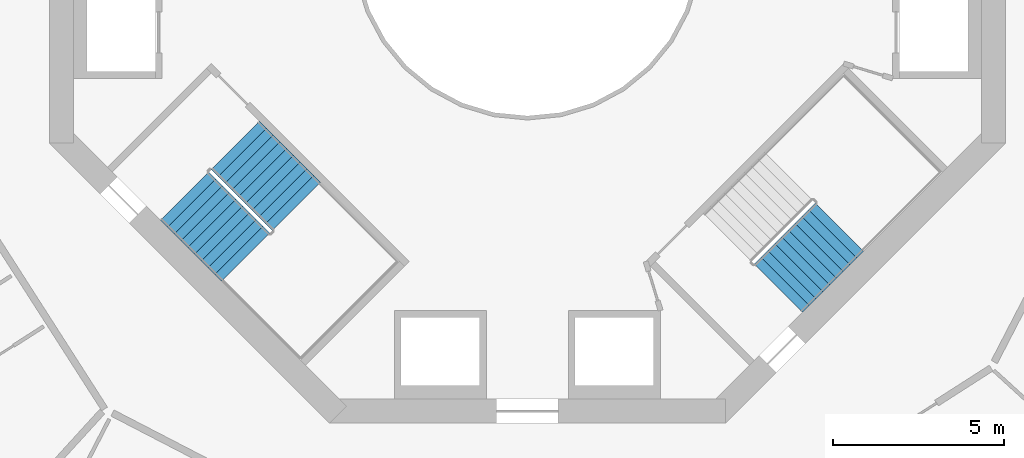
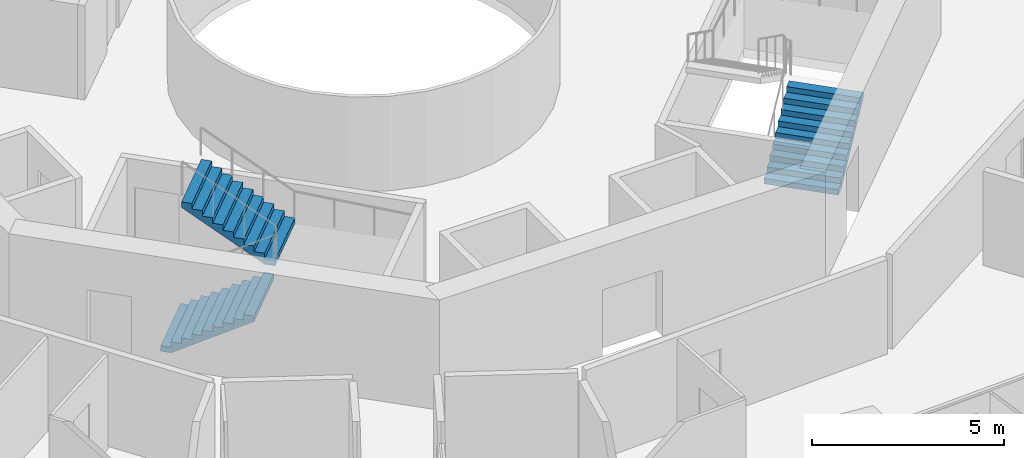
# One storey, part 20 of 22: 3 stair flights, 2 elements without a shape of their own.
"""IFC4 building model written with IfcOpenShell, lengths in metres."""

from ifc_helpers import new_model, si_unit, direction, frame, origin, place, context, subcontext, project, spatial, triangles, material, type_object, element, aggregate, save


model = new_model("IFC4")

# Units and contexts
model_context = context("Model", 3, precision=1e-05, world=origin(), true_north=direction((0.0, 1.0)))
body_context = subcontext(model_context, "Body", "Model", "MODEL_VIEW")
ifc_project = project(units=[si_unit("LENGTHUNIT", "METRE"), si_unit("AREAUNIT", "SQUARE_METRE"), si_unit("VOLUMEUNIT", "CUBIC_METRE"), si_unit("PLANEANGLEUNIT", "RADIAN"), si_unit("MASSUNIT", "GRAM", prefix="KILO")], contexts=[model_context])

# Site, building, storey
site_placement = place(None, origin())
site = spatial("IfcSite", under=ifc_project, at=site_placement, CompositionType="ELEMENT")
building_placement = place(site_placement, origin())
building = spatial("IfcBuilding", under=site, at=building_placement, Name="Verdalira Terraces Hotel", CompositionType="ELEMENT")
storey_placement = place(building_placement, frame((0.0, 0.0, 165.5)))
storey = spatial("IfcBuildingStorey", under=building, at=storey_placement, Name="L40", CompositionType="ELEMENT", Elevation=165.5)

# Stair, stair flights
ifc_material_1 = material(Name="Concrete C40", Category="concrete")
stair_type = type_object("IfcStairType", Name="Core stair 20 risers 2000 mm wide", PredefinedType="HALF_TURN_STAIR", material=ifc_material_1)
stair_1_placement = place(storey_placement, origin())
stair_1 = element("IfcStair", 1, at=stair_1_placement, inside=storey, type_object=stair_type, Name="L40 Exit stair ST2", PredefinedType="HALF_TURN_STAIR")
ifc_material_2 = material(Name="Concrete C40", Category="concrete")
stair_flight_type = type_object("IfcStairFlightType", Name="Core stair flight 20 risers 2000 mm wide", PredefinedType="STRAIGHT", material=ifc_material_2)
stair_flight_1_placement = place(storey_placement, frame((-10.041016, -7.354004, 0.0), z_axis=(0.0, 0.0, 1.0), x_axis=(0.707106781, -0.707106781, 0.0)))
stair_flight_1 = element("IfcStairFlight", 2, at=stair_flight_1_placement, type_object=stair_flight_type, Name="ST2 flight 1", NumberOfRisers=10, NumberOfTreads=9, PredefinedType="STRAIGHT", RiserHeight=0.175, TreadLength=0.28, context=body_context, shape_type="Tessellation", body=[
    triangles([(0.0, 1.0, 0.0), (0.282715, 1.0, 0.0), (2.52002, 1.0, 1.398193), (0.0, -1.0, 0.0), (0.282715, -1.0, 0.0), (2.52002, -1.0, 1.398193), (2.52002, 1.0, 1.574951), (2.23999, 1.0, 1.574951), (2.52002, -1.0, 1.574951), (2.23999, -1.0, 1.574951), (2.23999, 1.0, 1.399902), (2.23999, -1.0, 1.399902), (1.959961, 1.0, 1.399902), (1.959961, -1.0, 1.399902), (1.959961, 1.0, 1.225098), (1.959961, -1.0, 1.225098), (1.679932, 1.0, 1.225098), (1.679932, 1.0, 1.050049), (1.679932, -1.0, 1.225098), (1.679932, -1.0, 1.050049), (1.399902, 1.0, 1.050049), (1.399902, 1.0, 0.875), (1.399902, -1.0, 1.050049), (1.399902, -1.0, 0.875), (1.120117, 1.0, 0.875), (1.120117, 1.0, 0.699951), (1.120117, -1.0, 0.875), (1.120117, -1.0, 0.699951), (0.840088, 1.0, 0.699951), (0.840088, 1.0, 0.524902), (0.840088, -1.0, 0.699951), (0.840088, -1.0, 0.524902), (0.560059, 1.0, 0.524902), (0.560059, 1.0, 0.350098), (0.560059, -1.0, 0.524902), (0.560059, -1.0, 0.350098), (0.280029, 1.0, 0.350098), (0.280029, 1.0, 0.175049), (0.280029, -1.0, 0.350098), (0.280029, -1.0, 0.175049), (0.0, 1.0, 0.175049), (0.0, -1.0, 0.175049), (0.0, -0.9375, 0.0), (0.0, -0.9375, 0.175049), (0.0, -0.875, 0.0), (0.0, -0.875, 0.175049), (0.0, -0.8125, 0.0), (0.0, -0.8125, 0.175049), (0.0, -0.75, 0.0), (0.0, -0.75, 0.175049), (0.0, -0.6875, 0.0), (0.0, -0.6875, 0.175049), (0.0, -0.625, 0.0), (0.0, -0.625, 0.175049), (0.0, -0.5625, 0.0), (0.0, -0.5625, 0.175049), (0.0, -0.5, 0.0), (0.0, -0.5, 0.175049), (0.0, -0.4375, 0.0), (0.0, -0.4375, 0.175049), (0.0, -0.375, 0.0), (0.0, -0.375, 0.175049), (0.0, -0.3125, 0.0), (0.0, -0.3125, 0.175049), (0.0, -0.25, 0.0), (0.0, -0.25, 0.175049), (0.0, -0.1875, 0.0), (0.0, -0.1875, 0.175049), (0.0, -0.125, 0.0), (0.0, -0.125, 0.175049), (0.0, -0.0625, 0.0), (0.0, -0.0625, 0.175049), (0.0, 0.0, 0.0), (0.0, 0.0, 0.175049), (0.0, 0.0625, 0.0), (0.0, 0.0625, 0.175049), (0.0, 0.125, 0.0), (0.0, 0.125, 0.175049), (0.0, 0.1875, 0.0), (0.0, 0.1875, 0.175049), (0.0, 0.25, 0.0), (0.0, 0.25, 0.175049), (0.0, 0.3125, 0.0), (0.0, 0.3125, 0.175049), (0.0, 0.375, 0.0), (0.0, 0.375, 0.175049), (0.0, 0.4375, 0.0), (0.0, 0.4375, 0.175049), (0.0, 0.5, 0.0), (0.0, 0.5, 0.175049), (0.0, 0.5625, 0.0), (0.0, 0.5625, 0.175049), (0.0, 0.625, 0.0), (0.0, 0.625, 0.175049), (0.0, 0.6875, 0.0), (0.0, 0.6875, 0.175049), (0.0, 0.75, 0.0), (0.0, 0.75, 0.175049), (0.0, 0.8125, 0.0), (0.0, 0.8125, 0.175049), (0.0, 0.875, 0.0), (0.0, 0.875, 0.175049), (0.0, 0.9375, 0.0), (0.0, 0.9375, 0.175049), (2.52002, -0.9375, 1.574951), (2.52002, -0.875, 1.574951), (2.52002, -0.8125, 1.574951), (2.52002, -0.75, 1.574951), (2.52002, -0.6875, 1.574951), (2.52002, -0.625, 1.574951), (2.52002, -0.5625, 1.574951), (2.52002, -0.5, 1.574951), (2.52002, -0.4375, 1.574951), (2.52002, -0.375, 1.574951), (2.52002, -0.3125, 1.574951), (2.52002, -0.25, 1.574951), (2.52002, -0.1875, 1.574951), (2.52002, -0.125, 1.574951), (2.52002, -0.0625, 1.574951), (2.52002, 0.0, 1.574951), (2.52002, 0.0625, 1.574951), (2.52002, 0.125, 1.574951), (2.52002, 0.1875, 1.574951), (2.52002, 0.25, 1.574951), (2.52002, 0.3125, 1.574951), (2.52002, 0.375, 1.574951), (2.52002, 0.4375, 1.574951), (2.52002, 0.5, 1.574951), (2.52002, 0.5625, 1.574951), (2.52002, 0.625, 1.574951), (2.52002, 0.6875, 1.574951), (2.52002, 0.75, 1.574951), (2.52002, 0.8125, 1.574951), (2.52002, 0.875, 1.574951), (2.52002, 0.9375, 1.574951), (2.52002, -0.9375, 1.398193), (2.52002, -0.875, 1.398193), (2.52002, -0.8125, 1.398193), (2.52002, -0.75, 1.398193), (2.52002, -0.6875, 1.398193), (2.52002, -0.625, 1.398193), (2.52002, -0.5625, 1.398193), (2.52002, -0.5, 1.398193), (2.52002, -0.4375, 1.398193), (2.52002, -0.375, 1.398193), (2.52002, -0.3125, 1.398193), (2.52002, -0.25, 1.398193), (2.52002, -0.1875, 1.398193), (2.52002, -0.125, 1.398193), (2.52002, -0.0625, 1.398193), (2.52002, 0.0, 1.398193), (2.52002, 0.0625, 1.398193), (2.52002, 0.125, 1.398193), (2.52002, 0.1875, 1.398193), (2.52002, 0.25, 1.398193), (2.52002, 0.3125, 1.398193), (2.52002, 0.375, 1.398193), (2.52002, 0.4375, 1.398193), (2.52002, 0.5, 1.398193), (2.52002, 0.5625, 1.398193), (2.52002, 0.625, 1.398193), (2.52002, 0.6875, 1.398193), (2.52002, 0.75, 1.398193), (2.52002, 0.8125, 1.398193), (2.52002, 0.875, 1.398193), (2.52002, 0.9375, 1.398193)], [[1, 3, 2], [4, 5, 6], [3, 8, 7], [6, 9, 10], [3, 11, 8], [6, 10, 12], [3, 13, 11], [6, 12, 14], [3, 15, 13], [6, 14, 16], [15, 18, 17], [16, 19, 20], [3, 18, 15], [6, 16, 20], [18, 22, 21], [20, 23, 24], [3, 22, 18], [6, 20, 24], [22, 26, 25], [24, 27, 28], [3, 26, 22], [6, 24, 28], [26, 30, 29], [28, 31, 32], [3, 30, 26], [6, 28, 32], [1, 30, 3], [4, 6, 32], [30, 34, 33], [32, 35, 36], [34, 38, 37], [36, 39, 40], [30, 38, 34], [32, 36, 40], [1, 38, 30], [4, 32, 40], [38, 1, 41], [40, 42, 4], [4, 44, 43], [4, 42, 44], [43, 46, 45], [43, 44, 46], [45, 48, 47], [45, 46, 48], [47, 50, 49], [47, 48, 50], [49, 52, 51], [49, 50, 52], [51, 54, 53], [51, 52, 54], [53, 56, 55], [53, 54, 56], [55, 58, 57], [55, 56, 58], [57, 60, 59], [57, 58, 60], [59, 62, 61], [59, 60, 62], [61, 64, 63], [61, 62, 64], [63, 66, 65], [63, 64, 66], [65, 68, 67], [65, 66, 68], [67, 70, 69], [67, 68, 70], [69, 72, 71], [69, 70, 72], [71, 74, 73], [71, 72, 74], [73, 76, 75], [73, 74, 76], [75, 78, 77], [75, 76, 78], [77, 80, 79], [77, 78, 80], [79, 82, 81], [79, 80, 82], [81, 84, 83], [81, 82, 84], [83, 86, 85], [83, 84, 86], [85, 88, 87], [85, 86, 88], [87, 90, 89], [87, 88, 90], [89, 92, 91], [89, 90, 92], [91, 94, 93], [91, 92, 94], [93, 96, 95], [93, 94, 96], [95, 98, 97], [95, 96, 98], [97, 100, 99], [97, 98, 100], [99, 102, 101], [99, 100, 102], [101, 104, 103], [101, 102, 104], [103, 41, 1], [103, 104, 41], [42, 40, 44], [44, 40, 46], [46, 40, 48], [48, 40, 50], [50, 40, 52], [52, 40, 54], [54, 40, 56], [56, 40, 58], [58, 40, 60], [60, 40, 62], [62, 40, 64], [64, 40, 66], [66, 40, 68], [68, 40, 70], [70, 40, 72], [72, 40, 74], [74, 40, 76], [76, 40, 78], [78, 40, 80], [80, 40, 82], [82, 40, 84], [84, 40, 86], [86, 40, 88], [88, 40, 90], [90, 40, 92], [92, 40, 94], [94, 40, 96], [96, 40, 98], [98, 40, 100], [100, 40, 102], [102, 40, 104], [104, 40, 41], [41, 40, 38], [40, 37, 38], [40, 39, 37], [39, 34, 37], [39, 36, 34], [36, 33, 34], [36, 35, 33], [35, 30, 33], [35, 32, 30], [32, 29, 30], [32, 31, 29], [31, 26, 29], [31, 28, 26], [28, 25, 26], [28, 27, 25], [27, 22, 25], [27, 24, 22], [24, 21, 22], [24, 23, 21], [23, 18, 21], [23, 20, 18], [20, 17, 18], [20, 19, 17], [19, 15, 17], [19, 16, 15], [16, 13, 15], [16, 14, 13], [14, 11, 13], [14, 12, 11], [12, 8, 11], [12, 10, 8], [9, 105, 10], [105, 106, 10], [106, 107, 10], [107, 108, 10], [108, 109, 10], [109, 110, 10], [110, 111, 10], [111, 112, 10], [112, 113, 10], [113, 114, 10], [114, 115, 10], [115, 116, 10], [116, 117, 10], [117, 118, 10], [118, 119, 10], [119, 120, 10], [120, 121, 10], [121, 122, 10], [122, 123, 10], [123, 124, 10], [124, 125, 10], [125, 126, 10], [126, 127, 10], [127, 128, 10], [128, 129, 10], [129, 130, 10], [130, 131, 10], [131, 132, 10], [132, 133, 10], [133, 134, 10], [134, 135, 10], [135, 7, 10], [7, 8, 10], [9, 136, 105], [9, 6, 136], [105, 137, 106], [105, 136, 137], [106, 138, 107], [106, 137, 138], [107, 139, 108], [107, 138, 139], [108, 140, 109], [108, 139, 140], [109, 141, 110], [109, 140, 141], [110, 142, 111], [110, 141, 142], [111, 143, 112], [111, 142, 143], [112, 144, 113], [112, 143, 144], [113, 145, 114], [113, 144, 145], [114, 146, 115], [114, 145, 146], [115, 147, 116], [115, 146, 147], [116, 148, 117], [116, 147, 148], [117, 149, 118], [117, 148, 149], [118, 150, 119], [118, 149, 150], [119, 151, 120], [119, 150, 151], [120, 152, 121], [120, 151, 152], [121, 153, 122], [121, 152, 153], [122, 154, 123], [122, 153, 154], [123, 155, 124], [123, 154, 155], [124, 156, 125], [124, 155, 156], [125, 157, 126], [125, 156, 157], [126, 158, 127], [126, 157, 158], [127, 159, 128], [127, 158, 159], [128, 160, 129], [128, 159, 160], [129, 161, 130], [129, 160, 161], [130, 162, 131], [130, 161, 162], [131, 163, 132], [131, 162, 163], [132, 164, 133], [132, 163, 164], [133, 165, 134], [133, 164, 165], [134, 166, 135], [134, 165, 166], [135, 3, 7], [135, 166, 3], [6, 5, 136], [136, 5, 137], [137, 5, 138], [138, 5, 139], [139, 5, 140], [140, 5, 141], [141, 5, 142], [142, 5, 143], [143, 5, 144], [144, 5, 145], [145, 5, 146], [146, 5, 147], [147, 5, 148], [148, 5, 149], [149, 5, 150], [150, 5, 151], [151, 5, 152], [152, 5, 153], [153, 5, 154], [154, 5, 155], [155, 5, 156], [156, 5, 157], [157, 5, 158], [158, 5, 159], [159, 5, 160], [160, 5, 161], [161, 5, 162], [162, 5, 163], [163, 5, 164], [164, 5, 165], [165, 5, 166], [166, 5, 3], [3, 5, 2], [4, 43, 5], [43, 45, 5], [45, 47, 5], [47, 49, 5], [49, 51, 5], [51, 53, 5], [53, 55, 5], [55, 57, 5], [57, 59, 5], [59, 61, 5], [61, 63, 5], [63, 65, 5], [65, 67, 5], [67, 69, 5], [69, 71, 5], [71, 73, 5], [73, 75, 5], [75, 77, 5], [77, 79, 5], [79, 81, 5], [81, 83, 5], [83, 85, 5], [85, 87, 5], [87, 89, 5], [89, 91, 5], [91, 93, 5], [93, 95, 5], [95, 97, 5], [97, 99, 5], [99, 101, 5], [101, 103, 5], [103, 1, 5], [1, 2, 5]], closed=True),
])
stair_flight_2_placement = place(storey_placement, frame((-6.77417, -7.650879, 1.75), z_axis=(0.0, 0.0, 1.0), x_axis=(-0.707106781, 0.707106781, 0.0)))
stair_flight_2 = element("IfcStairFlight", 3, at=stair_flight_2_placement, type_object=stair_flight_type, Name="ST2 flight 2", NumberOfRisers=10, NumberOfTreads=9, PredefinedType="STRAIGHT", RiserHeight=0.175, TreadLength=0.28, context=body_context, shape_type="Tessellation", body=[
    triangles([(0.0, 1.0, 0.0), (0.282715, 1.0, 0.0), (2.52002, 1.0, 1.398193), (0.0, -1.0, 0.0), (0.282715, -1.0, 0.0), (2.52002, -1.0, 1.398193), (2.52002, 1.0, 1.574951), (2.23999, 1.0, 1.574951), (2.52002, -1.0, 1.574951), (2.23999, -1.0, 1.574951), (2.23999, 1.0, 1.399902), (2.23999, -1.0, 1.399902), (1.959961, 1.0, 1.399902), (1.959961, -1.0, 1.399902), (1.959961, 1.0, 1.225098), (1.959961, -1.0, 1.225098), (1.679932, 1.0, 1.225098), (1.679932, 1.0, 1.050049), (1.679932, -1.0, 1.225098), (1.679932, -1.0, 1.050049), (1.399902, 1.0, 1.050049), (1.399902, 1.0, 0.875), (1.399902, -1.0, 1.050049), (1.399902, -1.0, 0.875), (1.120117, 1.0, 0.875), (1.120117, 1.0, 0.699951), (1.120117, -1.0, 0.875), (1.120117, -1.0, 0.699951), (0.840088, 1.0, 0.699951), (0.840088, 1.0, 0.524902), (0.840088, -1.0, 0.699951), (0.840088, -1.0, 0.524902), (0.560059, 1.0, 0.524902), (0.560059, 1.0, 0.350098), (0.560059, -1.0, 0.524902), (0.560059, -1.0, 0.350098), (0.280029, 1.0, 0.350098), (0.280029, 1.0, 0.175049), (0.280029, -1.0, 0.350098), (0.280029, -1.0, 0.175049), (0.0, 1.0, 0.175049), (0.0, -1.0, 0.175049), (0.0, -0.9375, 0.0), (0.0, -0.9375, 0.175049), (0.0, -0.875, 0.0), (0.0, -0.875, 0.175049), (0.0, -0.8125, 0.0), (0.0, -0.8125, 0.175049), (0.0, -0.75, 0.0), (0.0, -0.75, 0.175049), (0.0, -0.6875, 0.0), (0.0, -0.6875, 0.175049), (0.0, -0.625, 0.0), (0.0, -0.625, 0.175049), (0.0, -0.5625, 0.0), (0.0, -0.5625, 0.175049), (0.0, -0.5, 0.0), (0.0, -0.5, 0.175049), (0.0, -0.4375, 0.0), (0.0, -0.4375, 0.175049), (0.0, -0.375, 0.0), (0.0, -0.375, 0.175049), (0.0, -0.3125, 0.0), (0.0, -0.3125, 0.175049), (0.0, -0.25, 0.0), (0.0, -0.25, 0.175049), (0.0, -0.1875, 0.0), (0.0, -0.1875, 0.175049), (0.0, -0.125, 0.0), (0.0, -0.125, 0.175049), (0.0, -0.0625, 0.0), (0.0, -0.0625, 0.175049), (0.0, 0.0, 0.0), (0.0, 0.0, 0.175049), (0.0, 0.0625, 0.0), (0.0, 0.0625, 0.175049), (0.0, 0.125, 0.0), (0.0, 0.125, 0.175049), (0.0, 0.1875, 0.0), (0.0, 0.1875, 0.175049), (0.0, 0.25, 0.0), (0.0, 0.25, 0.175049), (0.0, 0.3125, 0.0), (0.0, 0.3125, 0.175049), (0.0, 0.375, 0.0), (0.0, 0.375, 0.175049), (0.0, 0.4375, 0.0), (0.0, 0.4375, 0.175049), (0.0, 0.5, 0.0), (0.0, 0.5, 0.175049), (0.0, 0.5625, 0.0), (0.0, 0.5625, 0.175049), (0.0, 0.625, 0.0), (0.0, 0.625, 0.175049), (0.0, 0.6875, 0.0), (0.0, 0.6875, 0.175049), (0.0, 0.75, 0.0), (0.0, 0.75, 0.175049), (0.0, 0.8125, 0.0), (0.0, 0.8125, 0.175049), (0.0, 0.875, 0.0), (0.0, 0.875, 0.175049), (0.0, 0.9375, 0.0), (0.0, 0.9375, 0.175049), (2.52002, -0.9375, 1.574951), (2.52002, -0.875, 1.574951), (2.52002, -0.8125, 1.574951), (2.52002, -0.75, 1.574951), (2.52002, -0.6875, 1.574951), (2.52002, -0.625, 1.574951), (2.52002, -0.5625, 1.574951), (2.52002, -0.5, 1.574951), (2.52002, -0.4375, 1.574951), (2.52002, -0.375, 1.574951), (2.52002, -0.3125, 1.574951), (2.52002, -0.25, 1.574951), (2.52002, -0.1875, 1.574951), (2.52002, -0.125, 1.574951), (2.52002, -0.0625, 1.574951), (2.52002, 0.0, 1.574951), (2.52002, 0.0625, 1.574951), (2.52002, 0.125, 1.574951), (2.52002, 0.1875, 1.574951), (2.52002, 0.25, 1.574951), (2.52002, 0.3125, 1.574951), (2.52002, 0.375, 1.574951), (2.52002, 0.4375, 1.574951), (2.52002, 0.5, 1.574951), (2.52002, 0.5625, 1.574951), (2.52002, 0.625, 1.574951), (2.52002, 0.6875, 1.574951), (2.52002, 0.75, 1.574951), (2.52002, 0.8125, 1.574951), (2.52002, 0.875, 1.574951), (2.52002, 0.9375, 1.574951), (2.52002, -0.9375, 1.398193), (2.52002, -0.875, 1.398193), (2.52002, -0.8125, 1.398193), (2.52002, -0.75, 1.398193), (2.52002, -0.6875, 1.398193), (2.52002, -0.625, 1.398193), (2.52002, -0.5625, 1.398193), (2.52002, -0.5, 1.398193), (2.52002, -0.4375, 1.398193), (2.52002, -0.375, 1.398193), (2.52002, -0.3125, 1.398193), (2.52002, -0.25, 1.398193), (2.52002, -0.1875, 1.398193), (2.52002, -0.125, 1.398193), (2.52002, -0.0625, 1.398193), (2.52002, 0.0, 1.398193), (2.52002, 0.0625, 1.398193), (2.52002, 0.125, 1.398193), (2.52002, 0.1875, 1.398193), (2.52002, 0.25, 1.398193), (2.52002, 0.3125, 1.398193), (2.52002, 0.375, 1.398193), (2.52002, 0.4375, 1.398193), (2.52002, 0.5, 1.398193), (2.52002, 0.5625, 1.398193), (2.52002, 0.625, 1.398193), (2.52002, 0.6875, 1.398193), (2.52002, 0.75, 1.398193), (2.52002, 0.8125, 1.398193), (2.52002, 0.875, 1.398193), (2.52002, 0.9375, 1.398193)], [[1, 3, 2], [4, 5, 6], [3, 8, 7], [6, 9, 10], [3, 11, 8], [6, 10, 12], [3, 13, 11], [6, 12, 14], [3, 15, 13], [6, 14, 16], [15, 18, 17], [16, 19, 20], [3, 18, 15], [6, 16, 20], [18, 22, 21], [20, 23, 24], [3, 22, 18], [6, 20, 24], [22, 26, 25], [24, 27, 28], [3, 26, 22], [6, 24, 28], [26, 30, 29], [28, 31, 32], [3, 30, 26], [6, 28, 32], [1, 30, 3], [4, 6, 32], [30, 34, 33], [32, 35, 36], [34, 38, 37], [36, 39, 40], [30, 38, 34], [32, 36, 40], [1, 38, 30], [4, 32, 40], [38, 1, 41], [40, 42, 4], [4, 44, 43], [4, 42, 44], [43, 46, 45], [43, 44, 46], [45, 48, 47], [45, 46, 48], [47, 50, 49], [47, 48, 50], [49, 52, 51], [49, 50, 52], [51, 54, 53], [51, 52, 54], [53, 56, 55], [53, 54, 56], [55, 58, 57], [55, 56, 58], [57, 60, 59], [57, 58, 60], [59, 62, 61], [59, 60, 62], [61, 64, 63], [61, 62, 64], [63, 66, 65], [63, 64, 66], [65, 68, 67], [65, 66, 68], [67, 70, 69], [67, 68, 70], [69, 72, 71], [69, 70, 72], [71, 74, 73], [71, 72, 74], [73, 76, 75], [73, 74, 76], [75, 78, 77], [75, 76, 78], [77, 80, 79], [77, 78, 80], [79, 82, 81], [79, 80, 82], [81, 84, 83], [81, 82, 84], [83, 86, 85], [83, 84, 86], [85, 88, 87], [85, 86, 88], [87, 90, 89], [87, 88, 90], [89, 92, 91], [89, 90, 92], [91, 94, 93], [91, 92, 94], [93, 96, 95], [93, 94, 96], [95, 98, 97], [95, 96, 98], [97, 100, 99], [97, 98, 100], [99, 102, 101], [99, 100, 102], [101, 104, 103], [101, 102, 104], [103, 41, 1], [103, 104, 41], [42, 40, 44], [44, 40, 46], [46, 40, 48], [48, 40, 50], [50, 40, 52], [52, 40, 54], [54, 40, 56], [56, 40, 58], [58, 40, 60], [60, 40, 62], [62, 40, 64], [64, 40, 66], [66, 40, 68], [68, 40, 70], [70, 40, 72], [72, 40, 74], [74, 40, 76], [76, 40, 78], [78, 40, 80], [80, 40, 82], [82, 40, 84], [84, 40, 86], [86, 40, 88], [88, 40, 90], [90, 40, 92], [92, 40, 94], [94, 40, 96], [96, 40, 98], [98, 40, 100], [100, 40, 102], [102, 40, 104], [104, 40, 41], [41, 40, 38], [40, 37, 38], [40, 39, 37], [39, 34, 37], [39, 36, 34], [36, 33, 34], [36, 35, 33], [35, 30, 33], [35, 32, 30], [32, 29, 30], [32, 31, 29], [31, 26, 29], [31, 28, 26], [28, 25, 26], [28, 27, 25], [27, 22, 25], [27, 24, 22], [24, 21, 22], [24, 23, 21], [23, 18, 21], [23, 20, 18], [20, 17, 18], [20, 19, 17], [19, 15, 17], [19, 16, 15], [16, 13, 15], [16, 14, 13], [14, 11, 13], [14, 12, 11], [12, 8, 11], [12, 10, 8], [9, 105, 10], [105, 106, 10], [106, 107, 10], [107, 108, 10], [108, 109, 10], [109, 110, 10], [110, 111, 10], [111, 112, 10], [112, 113, 10], [113, 114, 10], [114, 115, 10], [115, 116, 10], [116, 117, 10], [117, 118, 10], [118, 119, 10], [119, 120, 10], [120, 121, 10], [121, 122, 10], [122, 123, 10], [123, 124, 10], [124, 125, 10], [125, 126, 10], [126, 127, 10], [127, 128, 10], [128, 129, 10], [129, 130, 10], [130, 131, 10], [131, 132, 10], [132, 133, 10], [133, 134, 10], [134, 135, 10], [135, 7, 10], [7, 8, 10], [9, 136, 105], [9, 6, 136], [105, 137, 106], [105, 136, 137], [106, 138, 107], [106, 137, 138], [107, 139, 108], [107, 138, 139], [108, 140, 109], [108, 139, 140], [109, 141, 110], [109, 140, 141], [110, 142, 111], [110, 141, 142], [111, 143, 112], [111, 142, 143], [112, 144, 113], [112, 143, 144], [113, 145, 114], [113, 144, 145], [114, 146, 115], [114, 145, 146], [115, 147, 116], [115, 146, 147], [116, 148, 117], [116, 147, 148], [117, 149, 118], [117, 148, 149], [118, 150, 119], [118, 149, 150], [119, 151, 120], [119, 150, 151], [120, 152, 121], [120, 151, 152], [121, 153, 122], [121, 152, 153], [122, 154, 123], [122, 153, 154], [123, 155, 124], [123, 154, 155], [124, 156, 125], [124, 155, 156], [125, 157, 126], [125, 156, 157], [126, 158, 127], [126, 157, 158], [127, 159, 128], [127, 158, 159], [128, 160, 129], [128, 159, 160], [129, 161, 130], [129, 160, 161], [130, 162, 131], [130, 161, 162], [131, 163, 132], [131, 162, 163], [132, 164, 133], [132, 163, 164], [133, 165, 134], [133, 164, 165], [134, 166, 135], [134, 165, 166], [135, 3, 7], [135, 166, 3], [6, 5, 136], [136, 5, 137], [137, 5, 138], [138, 5, 139], [139, 5, 140], [140, 5, 141], [141, 5, 142], [142, 5, 143], [143, 5, 144], [144, 5, 145], [145, 5, 146], [146, 5, 147], [147, 5, 148], [148, 5, 149], [149, 5, 150], [150, 5, 151], [151, 5, 152], [152, 5, 153], [153, 5, 154], [154, 5, 155], [155, 5, 156], [156, 5, 157], [157, 5, 158], [158, 5, 159], [159, 5, 160], [160, 5, 161], [161, 5, 162], [162, 5, 163], [163, 5, 164], [164, 5, 165], [165, 5, 166], [166, 5, 3], [3, 5, 2], [4, 43, 5], [43, 45, 5], [45, 47, 5], [47, 49, 5], [49, 51, 5], [51, 53, 5], [53, 55, 5], [55, 57, 5], [57, 59, 5], [59, 61, 5], [61, 63, 5], [63, 65, 5], [65, 67, 5], [67, 69, 5], [69, 71, 5], [71, 73, 5], [73, 75, 5], [75, 77, 5], [77, 79, 5], [79, 81, 5], [81, 83, 5], [83, 85, 5], [85, 87, 5], [87, 89, 5], [89, 91, 5], [91, 93, 5], [93, 95, 5], [95, 97, 5], [97, 99, 5], [99, 101, 5], [101, 103, 5], [103, 1, 5], [1, 2, 5]], closed=True),
])
aggregate(stair_1, [stair_flight_1, stair_flight_2])

# Stair, stair flight
stair_2_placement = place(storey_placement, origin())
stair_2 = element("IfcStair", 4, at=stair_2_placement, inside=storey, type_object=stair_type, Name="L40 Exit stair ST3", PredefinedType="HALF_TURN_STAIR")
stair_flight_3_placement = place(storey_placement, frame((7.354004, -10.041016, 0.0), z_axis=(0.0, 0.0, 1.0), x_axis=(0.707106781, 0.707106781, 0.0)))
stair_flight_3 = element("IfcStairFlight", 5, at=stair_flight_3_placement, type_object=stair_flight_type, Name="ST3 flight 1", NumberOfRisers=10, NumberOfTreads=9, PredefinedType="STRAIGHT", RiserHeight=0.175, TreadLength=0.28, context=body_context, shape_type="Tessellation", body=[
    triangles([(0.0, 1.0, 0.0), (0.282715, 1.0, 0.0), (2.52002, 1.0, 1.398193), (0.0, -1.0, 0.0), (0.282715, -1.0, 0.0), (2.52002, -1.0, 1.398193), (2.52002, 1.0, 1.574951), (2.23999, 1.0, 1.574951), (2.52002, -1.0, 1.574951), (2.23999, -1.0, 1.574951), (2.23999, 1.0, 1.399902), (2.23999, -1.0, 1.399902), (1.959961, 1.0, 1.399902), (1.959961, -1.0, 1.399902), (1.959961, 1.0, 1.225098), (1.959961, -1.0, 1.225098), (1.679932, 1.0, 1.225098), (1.679932, 1.0, 1.050049), (1.679932, -1.0, 1.225098), (1.679932, -1.0, 1.050049), (1.399902, 1.0, 1.050049), (1.399902, 1.0, 0.875), (1.399902, -1.0, 1.050049), (1.399902, -1.0, 0.875), (1.120117, 1.0, 0.875), (1.120117, 1.0, 0.699951), (1.120117, -1.0, 0.875), (1.120117, -1.0, 0.699951), (0.840088, 1.0, 0.699951), (0.840088, 1.0, 0.524902), (0.840088, -1.0, 0.699951), (0.840088, -1.0, 0.524902), (0.560059, 1.0, 0.524902), (0.560059, 1.0, 0.350098), (0.560059, -1.0, 0.524902), (0.560059, -1.0, 0.350098), (0.280029, 1.0, 0.350098), (0.280029, 1.0, 0.175049), (0.280029, -1.0, 0.350098), (0.280029, -1.0, 0.175049), (0.0, 1.0, 0.175049), (0.0, -1.0, 0.175049), (0.0, -0.9375, 0.0), (0.0, -0.9375, 0.175049), (0.0, -0.875, 0.0), (0.0, -0.875, 0.175049), (0.0, -0.8125, 0.0), (0.0, -0.8125, 0.175049), (0.0, -0.75, 0.0), (0.0, -0.75, 0.175049), (0.0, -0.6875, 0.0), (0.0, -0.6875, 0.175049), (0.0, -0.625, 0.0), (0.0, -0.625, 0.175049), (0.0, -0.5625, 0.0), (0.0, -0.5625, 0.175049), (0.0, -0.5, 0.0), (0.0, -0.5, 0.175049), (0.0, -0.4375, 0.0), (0.0, -0.4375, 0.175049), (0.0, -0.375, 0.0), (0.0, -0.375, 0.175049), (0.0, -0.3125, 0.0), (0.0, -0.3125, 0.175049), (0.0, -0.25, 0.0), (0.0, -0.25, 0.175049), (0.0, -0.1875, 0.0), (0.0, -0.1875, 0.175049), (0.0, -0.125, 0.0), (0.0, -0.125, 0.175049), (0.0, -0.0625, 0.0), (0.0, -0.0625, 0.175049), (0.0, 0.0, 0.0), (0.0, 0.0, 0.175049), (0.0, 0.0625, 0.0), (0.0, 0.0625, 0.175049), (0.0, 0.125, 0.0), (0.0, 0.125, 0.175049), (0.0, 0.1875, 0.0), (0.0, 0.1875, 0.175049), (0.0, 0.25, 0.0), (0.0, 0.25, 0.175049), (0.0, 0.3125, 0.0), (0.0, 0.3125, 0.175049), (0.0, 0.375, 0.0), (0.0, 0.375, 0.175049), (0.0, 0.4375, 0.0), (0.0, 0.4375, 0.175049), (0.0, 0.5, 0.0), (0.0, 0.5, 0.175049), (0.0, 0.5625, 0.0), (0.0, 0.5625, 0.175049), (0.0, 0.625, 0.0), (0.0, 0.625, 0.175049), (0.0, 0.6875, 0.0), (0.0, 0.6875, 0.175049), (0.0, 0.75, 0.0), (0.0, 0.75, 0.175049), (0.0, 0.8125, 0.0), (0.0, 0.8125, 0.175049), (0.0, 0.875, 0.0), (0.0, 0.875, 0.175049), (0.0, 0.9375, 0.0), (0.0, 0.9375, 0.175049), (2.52002, -0.9375, 1.574951), (2.52002, -0.875, 1.574951), (2.52002, -0.8125, 1.574951), (2.52002, -0.75, 1.574951), (2.52002, -0.6875, 1.574951), (2.52002, -0.625, 1.574951), (2.52002, -0.5625, 1.574951), (2.52002, -0.5, 1.574951), (2.52002, -0.4375, 1.574951), (2.52002, -0.375, 1.574951), (2.52002, -0.3125, 1.574951), (2.52002, -0.25, 1.574951), (2.52002, -0.1875, 1.574951), (2.52002, -0.125, 1.574951), (2.52002, -0.0625, 1.574951), (2.52002, 0.0, 1.574951), (2.52002, 0.0625, 1.574951), (2.52002, 0.125, 1.574951), (2.52002, 0.1875, 1.574951), (2.52002, 0.25, 1.574951), (2.52002, 0.3125, 1.574951), (2.52002, 0.375, 1.574951), (2.52002, 0.4375, 1.574951), (2.52002, 0.5, 1.574951), (2.52002, 0.5625, 1.574951), (2.52002, 0.625, 1.574951), (2.52002, 0.6875, 1.574951), (2.52002, 0.75, 1.574951), (2.52002, 0.8125, 1.574951), (2.52002, 0.875, 1.574951), (2.52002, 0.9375, 1.574951), (2.52002, -0.9375, 1.398193), (2.52002, -0.875, 1.398193), (2.52002, -0.8125, 1.398193), (2.52002, -0.75, 1.398193), (2.52002, -0.6875, 1.398193), (2.52002, -0.625, 1.398193), (2.52002, -0.5625, 1.398193), (2.52002, -0.5, 1.398193), (2.52002, -0.4375, 1.398193), (2.52002, -0.375, 1.398193), (2.52002, -0.3125, 1.398193), (2.52002, -0.25, 1.398193), (2.52002, -0.1875, 1.398193), (2.52002, -0.125, 1.398193), (2.52002, -0.0625, 1.398193), (2.52002, 0.0, 1.398193), (2.52002, 0.0625, 1.398193), (2.52002, 0.125, 1.398193), (2.52002, 0.1875, 1.398193), (2.52002, 0.25, 1.398193), (2.52002, 0.3125, 1.398193), (2.52002, 0.375, 1.398193), (2.52002, 0.4375, 1.398193), (2.52002, 0.5, 1.398193), (2.52002, 0.5625, 1.398193), (2.52002, 0.625, 1.398193), (2.52002, 0.6875, 1.398193), (2.52002, 0.75, 1.398193), (2.52002, 0.8125, 1.398193), (2.52002, 0.875, 1.398193), (2.52002, 0.9375, 1.398193)], [[1, 3, 2], [4, 5, 6], [3, 8, 7], [6, 9, 10], [3, 11, 8], [6, 10, 12], [3, 13, 11], [6, 12, 14], [3, 15, 13], [6, 14, 16], [15, 18, 17], [16, 19, 20], [3, 18, 15], [6, 16, 20], [18, 22, 21], [20, 23, 24], [3, 22, 18], [6, 20, 24], [22, 26, 25], [24, 27, 28], [3, 26, 22], [6, 24, 28], [26, 30, 29], [28, 31, 32], [3, 30, 26], [6, 28, 32], [1, 30, 3], [4, 6, 32], [30, 34, 33], [32, 35, 36], [34, 38, 37], [36, 39, 40], [30, 38, 34], [32, 36, 40], [1, 38, 30], [4, 32, 40], [38, 1, 41], [40, 42, 4], [4, 44, 43], [4, 42, 44], [43, 46, 45], [43, 44, 46], [45, 48, 47], [45, 46, 48], [47, 50, 49], [47, 48, 50], [49, 52, 51], [49, 50, 52], [51, 54, 53], [51, 52, 54], [53, 56, 55], [53, 54, 56], [55, 58, 57], [55, 56, 58], [57, 60, 59], [57, 58, 60], [59, 62, 61], [59, 60, 62], [61, 64, 63], [61, 62, 64], [63, 66, 65], [63, 64, 66], [65, 68, 67], [65, 66, 68], [67, 70, 69], [67, 68, 70], [69, 72, 71], [69, 70, 72], [71, 74, 73], [71, 72, 74], [73, 76, 75], [73, 74, 76], [75, 78, 77], [75, 76, 78], [77, 80, 79], [77, 78, 80], [79, 82, 81], [79, 80, 82], [81, 84, 83], [81, 82, 84], [83, 86, 85], [83, 84, 86], [85, 88, 87], [85, 86, 88], [87, 90, 89], [87, 88, 90], [89, 92, 91], [89, 90, 92], [91, 94, 93], [91, 92, 94], [93, 96, 95], [93, 94, 96], [95, 98, 97], [95, 96, 98], [97, 100, 99], [97, 98, 100], [99, 102, 101], [99, 100, 102], [101, 104, 103], [101, 102, 104], [103, 41, 1], [103, 104, 41], [42, 40, 44], [44, 40, 46], [46, 40, 48], [48, 40, 50], [50, 40, 52], [52, 40, 54], [54, 40, 56], [56, 40, 58], [58, 40, 60], [60, 40, 62], [62, 40, 64], [64, 40, 66], [66, 40, 68], [68, 40, 70], [70, 40, 72], [72, 40, 74], [74, 40, 76], [76, 40, 78], [78, 40, 80], [80, 40, 82], [82, 40, 84], [84, 40, 86], [86, 40, 88], [88, 40, 90], [90, 40, 92], [92, 40, 94], [94, 40, 96], [96, 40, 98], [98, 40, 100], [100, 40, 102], [102, 40, 104], [104, 40, 41], [41, 40, 38], [40, 37, 38], [40, 39, 37], [39, 34, 37], [39, 36, 34], [36, 33, 34], [36, 35, 33], [35, 30, 33], [35, 32, 30], [32, 29, 30], [32, 31, 29], [31, 26, 29], [31, 28, 26], [28, 25, 26], [28, 27, 25], [27, 22, 25], [27, 24, 22], [24, 21, 22], [24, 23, 21], [23, 18, 21], [23, 20, 18], [20, 17, 18], [20, 19, 17], [19, 15, 17], [19, 16, 15], [16, 13, 15], [16, 14, 13], [14, 11, 13], [14, 12, 11], [12, 8, 11], [12, 10, 8], [9, 105, 10], [105, 106, 10], [106, 107, 10], [107, 108, 10], [108, 109, 10], [109, 110, 10], [110, 111, 10], [111, 112, 10], [112, 113, 10], [113, 114, 10], [114, 115, 10], [115, 116, 10], [116, 117, 10], [117, 118, 10], [118, 119, 10], [119, 120, 10], [120, 121, 10], [121, 122, 10], [122, 123, 10], [123, 124, 10], [124, 125, 10], [125, 126, 10], [126, 127, 10], [127, 128, 10], [128, 129, 10], [129, 130, 10], [130, 131, 10], [131, 132, 10], [132, 133, 10], [133, 134, 10], [134, 135, 10], [135, 7, 10], [7, 8, 10], [9, 136, 105], [9, 6, 136], [105, 137, 106], [105, 136, 137], [106, 138, 107], [106, 137, 138], [107, 139, 108], [107, 138, 139], [108, 140, 109], [108, 139, 140], [109, 141, 110], [109, 140, 141], [110, 142, 111], [110, 141, 142], [111, 143, 112], [111, 142, 143], [112, 144, 113], [112, 143, 144], [113, 145, 114], [113, 144, 145], [114, 146, 115], [114, 145, 146], [115, 147, 116], [115, 146, 147], [116, 148, 117], [116, 147, 148], [117, 149, 118], [117, 148, 149], [118, 150, 119], [118, 149, 150], [119, 151, 120], [119, 150, 151], [120, 152, 121], [120, 151, 152], [121, 153, 122], [121, 152, 153], [122, 154, 123], [122, 153, 154], [123, 155, 124], [123, 154, 155], [124, 156, 125], [124, 155, 156], [125, 157, 126], [125, 156, 157], [126, 158, 127], [126, 157, 158], [127, 159, 128], [127, 158, 159], [128, 160, 129], [128, 159, 160], [129, 161, 130], [129, 160, 161], [130, 162, 131], [130, 161, 162], [131, 163, 132], [131, 162, 163], [132, 164, 133], [132, 163, 164], [133, 165, 134], [133, 164, 165], [134, 166, 135], [134, 165, 166], [135, 3, 7], [135, 166, 3], [6, 5, 136], [136, 5, 137], [137, 5, 138], [138, 5, 139], [139, 5, 140], [140, 5, 141], [141, 5, 142], [142, 5, 143], [143, 5, 144], [144, 5, 145], [145, 5, 146], [146, 5, 147], [147, 5, 148], [148, 5, 149], [149, 5, 150], [150, 5, 151], [151, 5, 152], [152, 5, 153], [153, 5, 154], [154, 5, 155], [155, 5, 156], [156, 5, 157], [157, 5, 158], [158, 5, 159], [159, 5, 160], [160, 5, 161], [161, 5, 162], [162, 5, 163], [163, 5, 164], [164, 5, 165], [165, 5, 166], [166, 5, 3], [3, 5, 2], [4, 43, 5], [43, 45, 5], [45, 47, 5], [47, 49, 5], [49, 51, 5], [51, 53, 5], [53, 55, 5], [55, 57, 5], [57, 59, 5], [59, 61, 5], [61, 63, 5], [63, 65, 5], [65, 67, 5], [67, 69, 5], [69, 71, 5], [71, 73, 5], [73, 75, 5], [75, 77, 5], [77, 79, 5], [79, 81, 5], [81, 83, 5], [83, 85, 5], [85, 87, 5], [87, 89, 5], [89, 91, 5], [91, 93, 5], [93, 95, 5], [95, 97, 5], [97, 99, 5], [99, 101, 5], [101, 103, 5], [103, 1, 5], [1, 2, 5]], closed=True),
])
aggregate(stair_2, [stair_flight_3])

save(model, "model.ifc")
